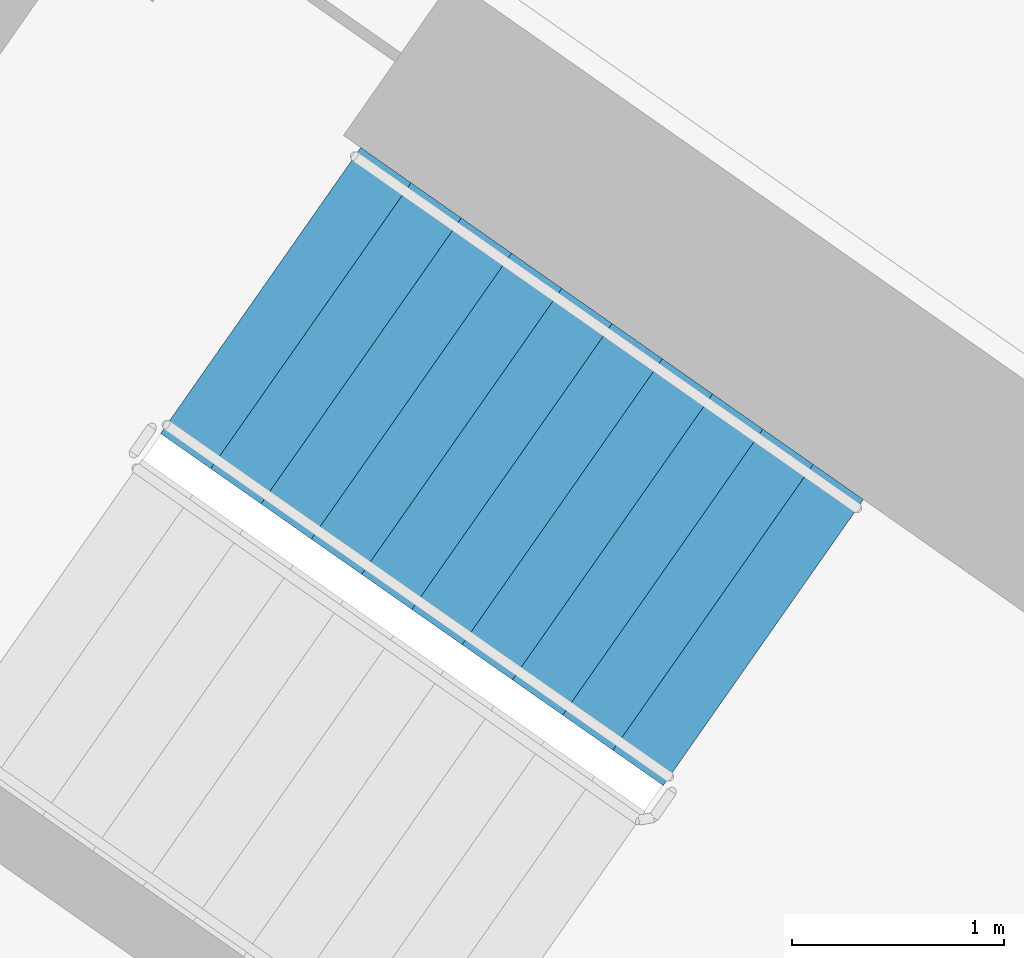
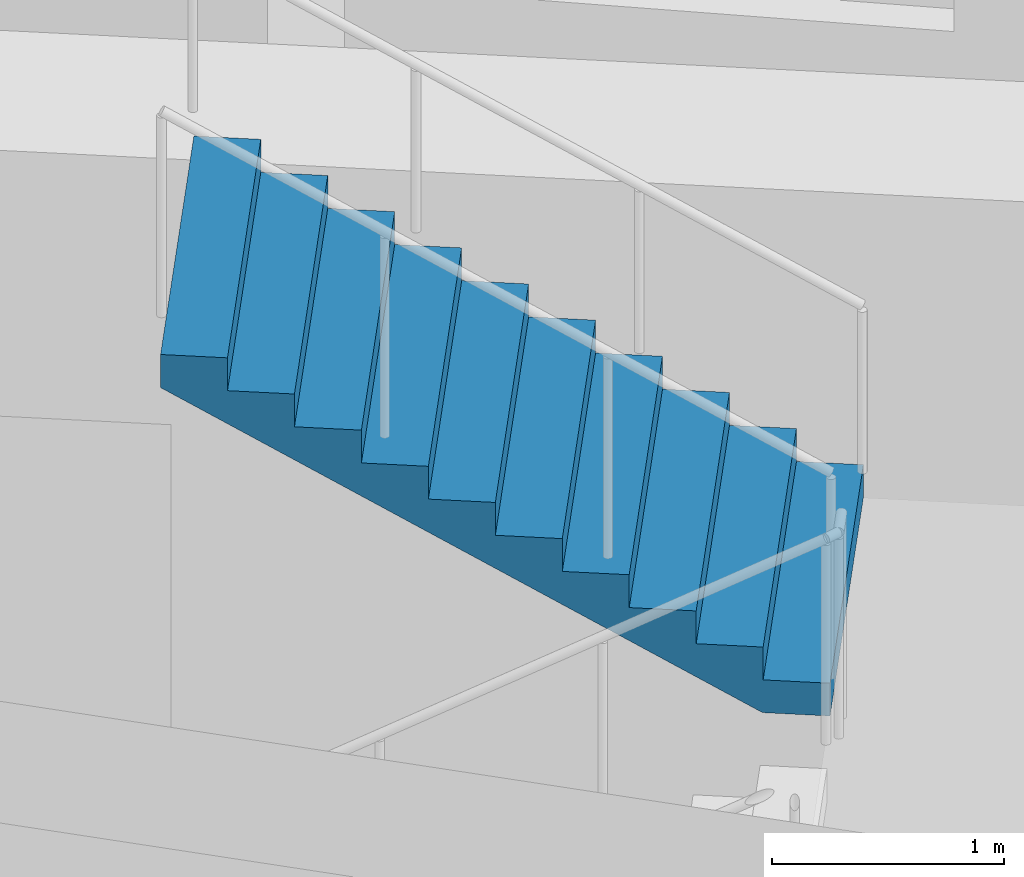
# One storey, part 14 of 31: 1 stair flight, 1 element without a shape of its own.
"""IFC4 building model written with IfcOpenShell, lengths in metres."""

import ifcopenshell
import ifcopenshell.guid

model = None  # the IFC model being written
_history = None  # IfcOwnerHistory: only IFC2X3 demands one
_inside = {}  # id of a spatial element -> (the spatial element, [elements in it])
_under = {}  # id of a project, library or spatial element -> (it, [spatial elements below it])
_declared = {}  # id of a project -> (the project, [libraries it declares])
_typed = {}  # id of a type object -> (the type object, [elements of that type])
_made_of = {}  # id of a material, layer set ... -> (it, [elements and type objects made of it])


def new_model(schema):
    """Start an empty IFC model of exactly this schema.

    Asked for "IFC4X3", IfcOpenShell would pick the latest addendum, in which some entities
    have other attributes; the version numbers below select the first issue.
    IFC2X3 requires an IfcOwnerHistory on every rooted entity: one is made here for all.
    """
    global model, _history
    if schema == "IFC4X3":
        model = ifcopenshell.file(schema_version=(4, 3, 0, 0))
    else:
        model = ifcopenshell.file(schema=schema)
    _inside.clear()
    _under.clear()
    _declared.clear()
    _typed.clear()
    _made_of.clear()
    _history = None
    if model.schema == "IFC2X3":
        org = make("IfcOrganization", Name="unknown")
        user = make(
            "IfcPersonAndOrganization",
            ThePerson=make("IfcPerson", FamilyName="unknown"),
            TheOrganization=org,
        )
        app = make(
            "IfcApplication",
            ApplicationDeveloper=org,
            Version="unknown",
            ApplicationFullName="unknown",
            ApplicationIdentifier="unknown",
        )
        _history = make(
            "IfcOwnerHistory",
            OwningUser=user,
            OwningApplication=app,
            ChangeAction="ADDED",
            CreationDate=0,
        )
    return model


def make(cls, **values):
    """One entity of the class cls with the attributes given. An attribute that is None is left unset."""
    return model.create_entity(
        cls, **{name: value for name, value in values.items() if value is not None}
    )


def rooted(cls, **values):
    """An entity with a GlobalId (a new one), such as an element, a storey or a relation."""
    return make(cls, GlobalId=ifcopenshell.guid.new(), OwnerHistory=_history, **values)


def si_unit(unit_type, name, prefix=None):
    """IfcSIUnit, for example si_unit("LENGTHUNIT", "METRE", prefix="MILLI")."""
    return make("IfcSIUnit", UnitType=unit_type, Prefix=prefix, Name=name)


def assignment(units):
    """IfcUnitAssignment: the units of a project."""
    return None if units is None else make("IfcUnitAssignment", Units=units)


def point(xyz):
    """IfcCartesianPoint."""
    return None if xyz is None else make("IfcCartesianPoint", Coordinates=xyz)


def direction(xyz):
    """IfcDirection."""
    return None if xyz is None else make("IfcDirection", DirectionRatios=xyz)


def frame(location, z_axis=None, x_axis=None):
    """IfcAxis2Placement3D, a coordinate frame: its origin and axes. An axis left out is left unset."""
    return make(
        "IfcAxis2Placement3D",
        Location=point(location),
        Axis=direction(z_axis),
        RefDirection=direction(x_axis),
    )


def origin():
    """The frame at (0, 0, 0) with its axes left unset."""
    return frame((0.0, 0.0, 0.0))


def place(relative_to, where):
    """IfcLocalPlacement: puts the frame where relative to a parent placement (None: the world)."""
    return make(
        "IfcLocalPlacement", PlacementRelTo=relative_to, RelativePlacement=where
    )


def context(
    kind, dimensions, precision=None, world=None, true_north=None, identifier=None
):
    """IfcGeometricRepresentationContext, for example the 3D "Model" context."""
    return make(
        "IfcGeometricRepresentationContext",
        ContextIdentifier=identifier,
        ContextType=kind,
        CoordinateSpaceDimension=dimensions,
        Precision=precision,
        WorldCoordinateSystem=world,
        TrueNorth=true_north,
    )


def subcontext(parent, identifier, kind, view, scale=None):
    """IfcGeometricRepresentationSubContext, for example "Body" below "Model"."""
    return make(
        "IfcGeometricRepresentationSubContext",
        ContextIdentifier=identifier,
        ContextType=kind,
        ParentContext=parent,
        TargetScale=scale,
        TargetView=view,
    )


def project(units=None, contexts=None):
    """IfcProject with its units and contexts."""
    return rooted(
        "IfcProject",
        Name="project",
        RepresentationContexts=contexts,
        UnitsInContext=assignment(units),
    )


def spatial(cls, under=None, at=None, **own):
    """A site, building, storey or space (cls), placed at a placement, below another one or the project."""
    s = rooted(cls, ObjectPlacement=at, **own)
    if under is not None:
        _under.setdefault(under.id(), (under, []))[1].append(s)
    return s


def faces_of(points, faces, orient=None, outer=None):
    """IfcFace entities. A face is a list of loops; a loop is a list of indices into points, from 0.

    orient and outer hold one flag for each loop. By default every Orientation is true, the
    first loop of a face is its IfcFaceOuterBound and the others are IfcFaceBound.
    """
    made = []
    for i, loops in enumerate(faces):
        bounds = []
        for j, loop in enumerate(loops):
            is_outer = j == 0 if outer is None else outer[i][j]
            bounds.append(
                make(
                    "IfcFaceOuterBound" if is_outer else "IfcFaceBound",
                    Bound=make("IfcPolyLoop", Polygon=[points[k] for k in loop]),
                    Orientation=True if orient is None else orient[i][j],
                )
            )
        made.append(make("IfcFace", Bounds=bounds))
    return made


def faceted_brep(points, faces, orient=None, outer=None, voids=None):
    """IfcFacetedBrep: a solid bounded by flat faces; with voids (closed shells), ...WithVoids."""
    shared = [point(p) for p in points]
    hull = make("IfcClosedShell", CfsFaces=faces_of(shared, faces, orient, outer))
    if voids is None:
        return make("IfcFacetedBrep", Outer=hull)
    return make(
        "IfcFacetedBrepWithVoids",
        Outer=hull,
        Voids=[
            make(cls, CfsFaces=faces_of(shared, fs, o, b)) for cls, fs, o, b in voids
        ],
    )


def shape(context_of_items, identifier, shape_type, items):
    """IfcShapeRepresentation: the items that make up one representation, for example the "Body"."""
    return make(
        "IfcShapeRepresentation",
        ContextOfItems=context_of_items,
        RepresentationIdentifier=identifier,
        RepresentationType=shape_type,
        Items=items,
    )


def material(Name=None, Category=None):
    """IfcMaterial."""
    return make("IfcMaterial", Name=Name, Category=Category)


def made_of(thing, what):
    """Note that an element or type object is made of a material, layer set ...; save() writes the relation."""
    if what is not None:
        _made_of.setdefault(what.id(), (what, []))[1].append(thing)
    return thing


def type_object(cls, material=None, **own):
    """A type object (cls), such as IfcWallType, which elements share."""
    return made_of(rooted(cls, **own), material)


def element(
    cls,
    number,
    at=None,
    inside=None,
    cuts=None,
    type_object=None,
    material=None,
    context=None,
    identifier="Body",
    shape_type=None,
    held_by="IfcProductDefinitionShape",
    body=None,
    shapes=None,
    **own,
):
    """One element of the class cls, such as IfcWall. Its Tag is "e" and its number.

    at: its placement. inside: the storey or other place that contains it. cuts: it is an
    opening in that element (IfcRelVoidsElement). A single representation is given by context,
    identifier, shape_type and body (its items); several are given by shapes. held_by: the class
    of the entity that holds the representations. save() writes the other relations.
    """
    e = rooted(cls, Tag="e%d" % number, ObjectPlacement=at, **own)
    if body is not None:
        shapes = [shape(context, identifier, shape_type, body)]
    if shapes is not None:
        e.Representation = make(held_by, Representations=shapes)
    if inside is not None:
        _inside.setdefault(inside.id(), (inside, []))[1].append(e)
    if cuts is not None:
        rooted(
            "IfcRelVoidsElement", RelatingBuildingElement=cuts, RelatedOpeningElement=e
        )
    if type_object is not None:
        _typed.setdefault(type_object.id(), (type_object, []))[1].append(e)
    return made_of(e, material)


def aggregate(whole, parts):
    """IfcRelAggregates: a whole, such as a stair, and the parts it consists of."""
    return rooted("IfcRelAggregates", RelatingObject=whole, RelatedObjects=parts)


def save(model, path):
    """Write the relations noted so far, then the file.

    IfcRelAggregates (storeys below a building ...), IfcRelContainedInSpatialStructure (elements
    in a storey), IfcRelDefinesByType, IfcRelAssociatesMaterial and IfcRelDeclares: one each for
    every whole, place, type object, material and project.
    """
    for whole, parts in _under.values():
        aggregate(whole, parts)
    for where, things in _inside.values():
        rooted(
            "IfcRelContainedInSpatialStructure",
            RelatedElements=things,
            RelatingStructure=where,
        )
    for kind, things in _typed.values():
        rooted("IfcRelDefinesByType", RelatedObjects=things, RelatingType=kind)
    for what, things in _made_of.values():
        rooted("IfcRelAssociatesMaterial", RelatedObjects=things, RelatingMaterial=what)
    for by, libraries in _declared.values():
        rooted("IfcRelDeclares", RelatingContext=by, RelatedDefinitions=libraries)
    model.write(path)


model = new_model("IFC4")

# Units and contexts
model_context = context("Model", 3, precision=1e-05, world=origin(), true_north=direction((0.0, 1.0)))
body_context = subcontext(model_context, "Body", "Model", "MODEL_VIEW")
ifc_project = project(units=[si_unit("LENGTHUNIT", "METRE"), si_unit("AREAUNIT", "SQUARE_METRE"), si_unit("VOLUMEUNIT", "CUBIC_METRE"), si_unit("PLANEANGLEUNIT", "RADIAN"), si_unit("MASSUNIT", "GRAM", prefix="KILO")], contexts=[model_context])

# Site, building, storey
site_placement = place(None, origin())
site = spatial("IfcSite", under=ifc_project, at=site_placement, CompositionType="ELEMENT")
building_placement = place(site_placement, origin())
building = spatial("IfcBuilding", under=site, at=building_placement, Name="Qamariyya Broadcast Tower", CompositionType="ELEMENT")
storey_placement = place(building_placement, frame((0.0, 0.0, 59.5)))
storey = spatial("IfcBuildingStorey", under=building, at=storey_placement, Name="L11", CompositionType="ELEMENT", Elevation=59.5)

# Stair, stair flight
ifc_material = material(Name="Concrete C50/60", Category="concrete")
stair_type = type_object("IfcStairType", Name="Exit stair 22 risers of 173 mm", PredefinedType="HALF_TURN_STAIR", material=ifc_material)
stair_placement = place(storey_placement, origin())
stair = element("IfcStair", 1, at=stair_placement, inside=storey, type_object=stair_type, Name="L11 Stair W2", PredefinedType="HALF_TURN_STAIR")
stair_flight_type = type_object("IfcStairFlightType", Name="Exit stair flight 11 risers of 173 mm", PredefinedType="STRAIGHT", material=ifc_material)
stair_flight_placement = place(storey_placement, frame((-38.18310546875, -49.3486328125, 1.89990234375), z_axis=(0.0, 0.0, 1.0), x_axis=(-0.819152044289, 0.573576436351, 0.0)))
stair_flight = element("IfcStairFlight", 2, at=stair_flight_placement, type_object=stair_flight_type, Name="ST-W2 flight 2", NumberOfRisers=11, NumberOfTreads=10, PredefinedType="STRAIGHT", RiserHeight=0.172727273, TreadLength=0.29, context=body_context, shape_type="Brep", body=[
    faceted_brep([(0.0, 0.824951171875, 0.0), (0.0, 0.824951171875, 0.172607421875), (0.2900390625, 0.824951171875, 0.172607421875), (0.2900390625, 0.824951171875, 0.345458984375), (0.580078125, 0.824951171875, 0.345458984375), (0.580078125, 0.824951171875, 0.51806640625), (0.8701171875, 0.824951171875, 0.51806640625), (0.8701171875, 0.824951171875, 0.69091796875), (1.159912109375, 0.824951171875, 0.69091796875), (1.159912109375, 0.824951171875, 0.863525390625), (1.449951171875, 0.824951171875, 0.863525390625), (1.449951171875, 0.824951171875, 1.036376953125), (1.739990234375, 0.824951171875, 1.036376953125), (1.739990234375, 0.824951171875, 1.208984375), (2.030029296875, 0.824951171875, 1.208984375), (2.030029296875, 0.824951171875, 1.3818359375), (2.320068359375, 0.824951171875, 1.3818359375), (2.320068359375, 0.824951171875, 1.554443359375), (2.610107421875, 0.824951171875, 1.554443359375), (2.610107421875, 0.824951171875, 1.727294921875), (2.89990234375, 0.824951171875, 1.727294921875), (2.89990234375, 0.824951171875, 1.552734375), (0.29296875, 0.824951171875, 0.0), (0.29296875, -0.824951171875, 0.0), (2.89990234375, -0.824951171875, 1.552734375), (2.89990234375, -0.824951171875, 1.727294921875), (2.610107421875, -0.824951171875, 1.727294921875), (2.610107421875, -0.824951171875, 1.554443359375), (2.320068359375, -0.824951171875, 1.554443359375), (2.320068359375, -0.824951171875, 1.3818359375), (2.030029296875, -0.824951171875, 1.3818359375), (2.030029296875, -0.824951171875, 1.208984375), (1.739990234375, -0.824951171875, 1.208984375), (1.739990234375, -0.824951171875, 1.036376953125), (1.449951171875, -0.824951171875, 1.036376953125), (1.449951171875, -0.824951171875, 0.863525390625), (1.159912109375, -0.824951171875, 0.863525390625), (1.159912109375, -0.824951171875, 0.69091796875), (0.8701171875, -0.824951171875, 0.69091796875), (0.8701171875, -0.824951171875, 0.51806640625), (0.580078125, -0.824951171875, 0.51806640625), (0.580078125, -0.824951171875, 0.345458984375), (0.2900390625, -0.824951171875, 0.345458984375), (0.2900390625, -0.824951171875, 0.172607421875), (0.0, -0.824951171875, 0.172607421875), (0.0, -0.824951171875, 0.0), (0.0, 0.10009765625, 0.0), (0.0, 0.086669921875, 0.0), (0.0, 0.0732421875, 0.0), (0.0, 0.06005859375, 0.0), (0.0, 0.046630859375, 0.0), (0.0, 0.033447265625, 0.0), (0.0, 0.02001953125, 0.0), (0.0, 0.006591796875, 0.0), (0.0, -0.006591796875, 0.0), (0.0, -0.02001953125, 0.0), (0.0, -0.033447265625, 0.0), (0.0, -0.046630859375, 0.0), (0.0, -0.06005859375, 0.0), (0.0, -0.0732421875, 0.0), (0.0, -0.086669921875, 0.0), (0.0, -0.10009765625, 0.0), (0.0, -0.10009765625, 0.172607421875), (0.0, -0.086669921875, 0.172607421875), (0.0, -0.0732421875, 0.172607421875), (0.0, -0.06005859375, 0.172607421875), (0.0, -0.046630859375, 0.172607421875), (0.0, -0.033447265625, 0.172607421875), (0.0, -0.02001953125, 0.172607421875), (0.0, -0.006591796875, 0.172607421875), (0.0, 0.006591796875, 0.172607421875), (0.0, 0.02001953125, 0.172607421875), (0.0, 0.033447265625, 0.172607421875), (0.0, 0.046630859375, 0.172607421875), (0.0, 0.06005859375, 0.172607421875), (0.0, 0.0732421875, 0.172607421875), (0.0, 0.086669921875, 0.172607421875), (0.0, 0.10009765625, 0.172607421875), (0.2900390625, -0.10009765625, 0.172607421875), (0.2900390625, -0.086669921875, 0.172607421875), (0.2900390625, -0.0732421875, 0.172607421875), (0.2900390625, -0.06005859375, 0.172607421875), (0.2900390625, -0.046630859375, 0.172607421875), (0.2900390625, -0.033447265625, 0.172607421875), (0.2900390625, -0.02001953125, 0.172607421875), (0.2900390625, -0.006591796875, 0.172607421875), (0.2900390625, 0.006591796875, 0.172607421875), (0.2900390625, 0.02001953125, 0.172607421875), (0.2900390625, 0.033447265625, 0.172607421875), (0.2900390625, 0.046630859375, 0.172607421875), (0.2900390625, 0.06005859375, 0.172607421875), (0.2900390625, 0.0732421875, 0.172607421875), (0.2900390625, 0.086669921875, 0.172607421875), (0.2900390625, 0.10009765625, 0.172607421875), (0.2900390625, -0.10009765625, 0.345458984375), (0.2900390625, -0.086669921875, 0.345458984375), (0.2900390625, -0.0732421875, 0.345458984375), (0.2900390625, -0.06005859375, 0.345458984375), (0.2900390625, -0.046630859375, 0.345458984375), (0.2900390625, -0.033447265625, 0.345458984375), (0.2900390625, -0.02001953125, 0.345458984375), (0.2900390625, -0.006591796875, 0.345458984375), (0.2900390625, 0.006591796875, 0.345458984375), (0.2900390625, 0.02001953125, 0.345458984375), (0.2900390625, 0.033447265625, 0.345458984375), (0.2900390625, 0.046630859375, 0.345458984375), (0.2900390625, 0.06005859375, 0.345458984375), (0.2900390625, 0.0732421875, 0.345458984375), (0.2900390625, 0.086669921875, 0.345458984375), (0.2900390625, 0.10009765625, 0.345458984375), (0.580078125, -0.10009765625, 0.345458984375), (0.580078125, -0.086669921875, 0.345458984375), (0.580078125, -0.0732421875, 0.345458984375), (0.580078125, -0.06005859375, 0.345458984375), (0.580078125, -0.046630859375, 0.345458984375), (0.580078125, -0.033447265625, 0.345458984375), (0.580078125, -0.02001953125, 0.345458984375), (0.580078125, -0.006591796875, 0.345458984375), (0.580078125, 0.006591796875, 0.345458984375), (0.580078125, 0.02001953125, 0.345458984375), (0.580078125, 0.033447265625, 0.345458984375), (0.580078125, 0.046630859375, 0.345458984375), (0.580078125, 0.06005859375, 0.345458984375), (0.580078125, 0.0732421875, 0.345458984375), (0.580078125, 0.086669921875, 0.345458984375), (0.580078125, 0.10009765625, 0.345458984375), (0.580078125, -0.10009765625, 0.51806640625), (0.580078125, -0.086669921875, 0.51806640625), (0.580078125, -0.0732421875, 0.51806640625), (0.580078125, -0.06005859375, 0.51806640625), (0.580078125, -0.046630859375, 0.51806640625), (0.580078125, -0.033447265625, 0.51806640625), (0.580078125, -0.02001953125, 0.51806640625), (0.580078125, -0.006591796875, 0.51806640625), (0.580078125, 0.006591796875, 0.51806640625), (0.580078125, 0.02001953125, 0.51806640625), (0.580078125, 0.033447265625, 0.51806640625), (0.580078125, 0.046630859375, 0.51806640625), (0.580078125, 0.06005859375, 0.51806640625), (0.580078125, 0.0732421875, 0.51806640625), (0.580078125, 0.086669921875, 0.51806640625), (0.580078125, 0.10009765625, 0.51806640625), (0.8701171875, -0.10009765625, 0.51806640625), (0.8701171875, -0.086669921875, 0.51806640625), (0.8701171875, -0.0732421875, 0.51806640625), (0.8701171875, -0.06005859375, 0.51806640625), (0.8701171875, -0.046630859375, 0.51806640625), (0.8701171875, -0.033447265625, 0.51806640625), (0.8701171875, -0.02001953125, 0.51806640625), (0.8701171875, -0.006591796875, 0.51806640625), (0.8701171875, 0.006591796875, 0.51806640625), (0.8701171875, 0.02001953125, 0.51806640625), (0.8701171875, 0.033447265625, 0.51806640625), (0.8701171875, 0.046630859375, 0.51806640625), (0.8701171875, 0.06005859375, 0.51806640625), (0.8701171875, 0.0732421875, 0.51806640625), (0.8701171875, 0.086669921875, 0.51806640625), (0.8701171875, 0.10009765625, 0.51806640625), (0.8701171875, -0.10009765625, 0.69091796875), (0.8701171875, -0.086669921875, 0.69091796875), (0.8701171875, -0.0732421875, 0.69091796875), (0.8701171875, -0.06005859375, 0.69091796875), (0.8701171875, -0.046630859375, 0.69091796875), (0.8701171875, -0.033447265625, 0.69091796875), (0.8701171875, -0.02001953125, 0.69091796875), (0.8701171875, -0.006591796875, 0.69091796875), (0.8701171875, 0.006591796875, 0.69091796875), (0.8701171875, 0.02001953125, 0.69091796875), (0.8701171875, 0.033447265625, 0.69091796875), (0.8701171875, 0.046630859375, 0.69091796875), (0.8701171875, 0.06005859375, 0.69091796875), (0.8701171875, 0.0732421875, 0.69091796875), (0.8701171875, 0.086669921875, 0.69091796875), (0.8701171875, 0.10009765625, 0.69091796875), (1.159912109375, -0.10009765625, 0.69091796875), (1.159912109375, -0.086669921875, 0.69091796875), (1.159912109375, -0.0732421875, 0.69091796875), (1.159912109375, -0.06005859375, 0.69091796875), (1.159912109375, -0.046630859375, 0.69091796875), (1.159912109375, -0.033447265625, 0.69091796875), (1.159912109375, -0.02001953125, 0.69091796875), (1.159912109375, -0.006591796875, 0.69091796875), (1.159912109375, 0.006591796875, 0.69091796875), (1.159912109375, 0.02001953125, 0.69091796875), (1.159912109375, 0.033447265625, 0.69091796875), (1.159912109375, 0.046630859375, 0.69091796875), (1.159912109375, 0.06005859375, 0.69091796875), (1.159912109375, 0.0732421875, 0.69091796875), (1.159912109375, 0.086669921875, 0.69091796875), (1.159912109375, 0.10009765625, 0.69091796875), (1.159912109375, -0.10009765625, 0.863525390625), (1.159912109375, -0.086669921875, 0.863525390625), (1.159912109375, -0.0732421875, 0.863525390625), (1.159912109375, -0.06005859375, 0.863525390625), (1.159912109375, -0.046630859375, 0.863525390625), (1.159912109375, -0.033447265625, 0.863525390625), (1.159912109375, -0.02001953125, 0.863525390625), (1.159912109375, -0.006591796875, 0.863525390625), (1.159912109375, 0.006591796875, 0.863525390625), (1.159912109375, 0.02001953125, 0.863525390625), (1.159912109375, 0.033447265625, 0.863525390625), (1.159912109375, 0.046630859375, 0.863525390625), (1.159912109375, 0.06005859375, 0.863525390625), (1.159912109375, 0.0732421875, 0.863525390625), (1.159912109375, 0.086669921875, 0.863525390625), (1.159912109375, 0.10009765625, 0.863525390625), (1.449951171875, -0.10009765625, 0.863525390625), (1.449951171875, -0.086669921875, 0.863525390625), (1.449951171875, -0.0732421875, 0.863525390625), (1.449951171875, -0.06005859375, 0.863525390625), (1.449951171875, -0.046630859375, 0.863525390625), (1.449951171875, -0.033447265625, 0.863525390625), (1.449951171875, -0.02001953125, 0.863525390625), (1.449951171875, -0.006591796875, 0.863525390625), (1.449951171875, 0.006591796875, 0.863525390625), (1.449951171875, 0.02001953125, 0.863525390625), (1.449951171875, 0.033447265625, 0.863525390625), (1.449951171875, 0.046630859375, 0.863525390625), (1.449951171875, 0.06005859375, 0.863525390625), (1.449951171875, 0.0732421875, 0.863525390625), (1.449951171875, 0.086669921875, 0.863525390625), (1.449951171875, 0.10009765625, 0.863525390625), (1.449951171875, -0.10009765625, 1.036376953125), (1.449951171875, -0.086669921875, 1.036376953125), (1.449951171875, -0.0732421875, 1.036376953125), (1.449951171875, -0.06005859375, 1.036376953125), (1.449951171875, -0.046630859375, 1.036376953125), (1.449951171875, -0.033447265625, 1.036376953125), (1.449951171875, -0.02001953125, 1.036376953125), (1.449951171875, -0.006591796875, 1.036376953125), (1.449951171875, 0.006591796875, 1.036376953125), (1.449951171875, 0.02001953125, 1.036376953125), (1.449951171875, 0.033447265625, 1.036376953125), (1.449951171875, 0.046630859375, 1.036376953125), (1.449951171875, 0.06005859375, 1.036376953125), (1.449951171875, 0.0732421875, 1.036376953125), (1.449951171875, 0.086669921875, 1.036376953125), (1.449951171875, 0.10009765625, 1.036376953125), (1.739990234375, -0.10009765625, 1.036376953125), (1.739990234375, -0.086669921875, 1.036376953125), (1.739990234375, -0.0732421875, 1.036376953125), (1.739990234375, -0.06005859375, 1.036376953125), (1.739990234375, -0.046630859375, 1.036376953125), (1.739990234375, -0.033447265625, 1.036376953125), (1.739990234375, -0.02001953125, 1.036376953125), (1.739990234375, -0.006591796875, 1.036376953125), (1.739990234375, 0.006591796875, 1.036376953125), (1.739990234375, 0.02001953125, 1.036376953125), (1.739990234375, 0.033447265625, 1.036376953125), (1.739990234375, 0.046630859375, 1.036376953125), (1.739990234375, 0.06005859375, 1.036376953125), (1.739990234375, 0.0732421875, 1.036376953125), (1.739990234375, 0.086669921875, 1.036376953125), (1.739990234375, 0.10009765625, 1.036376953125), (1.739990234375, -0.10009765625, 1.208984375), (1.739990234375, -0.086669921875, 1.208984375), (1.739990234375, -0.0732421875, 1.208984375), (1.739990234375, -0.06005859375, 1.208984375), (1.739990234375, -0.046630859375, 1.208984375), (1.739990234375, -0.033447265625, 1.208984375), (1.739990234375, -0.02001953125, 1.208984375), (1.739990234375, -0.006591796875, 1.208984375), (1.739990234375, 0.006591796875, 1.208984375), (1.739990234375, 0.02001953125, 1.208984375), (1.739990234375, 0.033447265625, 1.208984375), (1.739990234375, 0.046630859375, 1.208984375), (1.739990234375, 0.06005859375, 1.208984375), (1.739990234375, 0.0732421875, 1.208984375), (1.739990234375, 0.086669921875, 1.208984375), (1.739990234375, 0.10009765625, 1.208984375), (2.030029296875, -0.10009765625, 1.208984375), (2.030029296875, -0.086669921875, 1.208984375), (2.030029296875, -0.0732421875, 1.208984375), (2.030029296875, -0.06005859375, 1.208984375), (2.030029296875, -0.046630859375, 1.208984375), (2.030029296875, -0.033447265625, 1.208984375), (2.030029296875, -0.02001953125, 1.208984375), (2.030029296875, -0.006591796875, 1.208984375), (2.030029296875, 0.006591796875, 1.208984375), (2.030029296875, 0.02001953125, 1.208984375), (2.030029296875, 0.033447265625, 1.208984375), (2.030029296875, 0.046630859375, 1.208984375), (2.030029296875, 0.06005859375, 1.208984375), (2.030029296875, 0.0732421875, 1.208984375), (2.030029296875, 0.086669921875, 1.208984375), (2.030029296875, 0.10009765625, 1.208984375), (2.030029296875, -0.10009765625, 1.3818359375), (2.030029296875, -0.086669921875, 1.3818359375), (2.030029296875, -0.0732421875, 1.3818359375), (2.030029296875, -0.06005859375, 1.3818359375), (2.030029296875, -0.046630859375, 1.3818359375), (2.030029296875, -0.033447265625, 1.3818359375), (2.030029296875, -0.02001953125, 1.3818359375), (2.030029296875, -0.006591796875, 1.3818359375), (2.030029296875, 0.006591796875, 1.3818359375), (2.030029296875, 0.02001953125, 1.3818359375), (2.030029296875, 0.033447265625, 1.3818359375), (2.030029296875, 0.046630859375, 1.3818359375), (2.030029296875, 0.06005859375, 1.3818359375), (2.030029296875, 0.0732421875, 1.3818359375), (2.030029296875, 0.086669921875, 1.3818359375), (2.030029296875, 0.10009765625, 1.3818359375), (2.320068359375, -0.10009765625, 1.3818359375), (2.320068359375, -0.086669921875, 1.3818359375), (2.320068359375, -0.0732421875, 1.3818359375), (2.320068359375, -0.06005859375, 1.3818359375), (2.320068359375, -0.046630859375, 1.3818359375), (2.320068359375, -0.033447265625, 1.3818359375), (2.320068359375, -0.02001953125, 1.3818359375), (2.320068359375, -0.006591796875, 1.3818359375), (2.320068359375, 0.006591796875, 1.3818359375), (2.320068359375, 0.02001953125, 1.3818359375), (2.320068359375, 0.033447265625, 1.3818359375), (2.320068359375, 0.046630859375, 1.3818359375), (2.320068359375, 0.06005859375, 1.3818359375), (2.320068359375, 0.0732421875, 1.3818359375), (2.320068359375, 0.086669921875, 1.3818359375), (2.320068359375, 0.10009765625, 1.3818359375), (2.320068359375, -0.10009765625, 1.554443359375), (2.320068359375, -0.086669921875, 1.554443359375), (2.320068359375, -0.0732421875, 1.554443359375), (2.320068359375, -0.06005859375, 1.554443359375), (2.320068359375, -0.046630859375, 1.554443359375), (2.320068359375, -0.033447265625, 1.554443359375), (2.320068359375, -0.02001953125, 1.554443359375), (2.320068359375, -0.006591796875, 1.554443359375), (2.320068359375, 0.006591796875, 1.554443359375), (2.320068359375, 0.02001953125, 1.554443359375), (2.320068359375, 0.033447265625, 1.554443359375), (2.320068359375, 0.046630859375, 1.554443359375), (2.320068359375, 0.06005859375, 1.554443359375), (2.320068359375, 0.0732421875, 1.554443359375), (2.320068359375, 0.086669921875, 1.554443359375), (2.320068359375, 0.10009765625, 1.554443359375), (2.610107421875, -0.10009765625, 1.554443359375), (2.610107421875, -0.086669921875, 1.554443359375), (2.610107421875, -0.0732421875, 1.554443359375), (2.610107421875, -0.06005859375, 1.554443359375), (2.610107421875, -0.046630859375, 1.554443359375), (2.610107421875, -0.033447265625, 1.554443359375), (2.610107421875, -0.02001953125, 1.554443359375), (2.610107421875, -0.006591796875, 1.554443359375), (2.610107421875, 0.006591796875, 1.554443359375), (2.610107421875, 0.02001953125, 1.554443359375), (2.610107421875, 0.033447265625, 1.554443359375), (2.610107421875, 0.046630859375, 1.554443359375), (2.610107421875, 0.06005859375, 1.554443359375), (2.610107421875, 0.0732421875, 1.554443359375), (2.610107421875, 0.086669921875, 1.554443359375), (2.610107421875, 0.10009765625, 1.554443359375), (2.610107421875, -0.10009765625, 1.727294921875), (2.610107421875, -0.086669921875, 1.727294921875), (2.610107421875, -0.0732421875, 1.727294921875), (2.610107421875, -0.06005859375, 1.727294921875), (2.610107421875, -0.046630859375, 1.727294921875), (2.610107421875, -0.033447265625, 1.727294921875), (2.610107421875, -0.02001953125, 1.727294921875), (2.610107421875, -0.006591796875, 1.727294921875), (2.610107421875, 0.006591796875, 1.727294921875), (2.610107421875, 0.02001953125, 1.727294921875), (2.610107421875, 0.033447265625, 1.727294921875), (2.610107421875, 0.046630859375, 1.727294921875), (2.610107421875, 0.06005859375, 1.727294921875), (2.610107421875, 0.0732421875, 1.727294921875), (2.610107421875, 0.086669921875, 1.727294921875), (2.610107421875, 0.10009765625, 1.727294921875), (2.89990234375, -0.10009765625, 1.727294921875), (2.89990234375, -0.086669921875, 1.727294921875), (2.89990234375, -0.0732421875, 1.727294921875), (2.89990234375, -0.06005859375, 1.727294921875), (2.89990234375, -0.046630859375, 1.727294921875), (2.89990234375, -0.033447265625, 1.727294921875), (2.89990234375, -0.02001953125, 1.727294921875), (2.89990234375, -0.006591796875, 1.727294921875), (2.89990234375, 0.006591796875, 1.727294921875), (2.89990234375, 0.02001953125, 1.727294921875), (2.89990234375, 0.033447265625, 1.727294921875), (2.89990234375, 0.046630859375, 1.727294921875), (2.89990234375, 0.06005859375, 1.727294921875), (2.89990234375, 0.0732421875, 1.727294921875), (2.89990234375, 0.086669921875, 1.727294921875), (2.89990234375, 0.10009765625, 1.727294921875), (2.89990234375, -0.10009765625, 1.552734375), (2.89990234375, -0.086669921875, 1.552734375), (2.89990234375, -0.0732421875, 1.552734375), (2.89990234375, -0.06005859375, 1.552734375), (2.89990234375, -0.046630859375, 1.552734375), (2.89990234375, -0.033447265625, 1.552734375), (2.89990234375, -0.02001953125, 1.552734375), (2.89990234375, -0.006591796875, 1.552734375), (2.89990234375, 0.006591796875, 1.552734375), (2.89990234375, 0.02001953125, 1.552734375), (2.89990234375, 0.033447265625, 1.552734375), (2.89990234375, 0.046630859375, 1.552734375), (2.89990234375, 0.06005859375, 1.552734375), (2.89990234375, 0.0732421875, 1.552734375), (2.89990234375, 0.086669921875, 1.552734375), (2.89990234375, 0.10009765625, 1.552734375), (0.29296875, -0.10009765625, 0.0), (0.29296875, -0.086669921875, 0.0), (0.29296875, -0.0732421875, 0.0), (0.29296875, -0.06005859375, 0.0), (0.29296875, -0.046630859375, 0.0), (0.29296875, -0.033447265625, 0.0), (0.29296875, -0.02001953125, 0.0), (0.29296875, -0.006591796875, 0.0), (0.29296875, 0.006591796875, 0.0), (0.29296875, 0.02001953125, 0.0), (0.29296875, 0.033447265625, 0.0), (0.29296875, 0.046630859375, 0.0), (0.29296875, 0.06005859375, 0.0), (0.29296875, 0.0732421875, 0.0), (0.29296875, 0.086669921875, 0.0), (0.29296875, 0.10009765625, 0.0)], [[[0, 1, 2, 3, 4, 5, 6, 7, 8, 9, 10, 11, 12, 13, 14, 15, 16, 17, 18, 19, 20, 21, 22]], [[23, 24, 25, 26, 27, 28, 29, 30, 31, 32, 33, 34, 35, 36, 37, 38, 39, 40, 41, 42, 43, 44, 45]], [[0, 46, 47, 48, 49, 50, 51, 52, 53, 54, 55, 56, 57, 58, 59, 60, 61, 45, 44, 62, 63, 64, 65, 66, 67, 68, 69, 70, 71, 72, 73, 74, 75, 76, 77, 1]], [[1, 77, 76, 75, 74, 73, 72, 71, 70, 69, 68, 67, 66, 65, 64, 63, 62, 44, 43, 78, 79, 80, 81, 82, 83, 84, 85, 86, 87, 88, 89, 90, 91, 92, 93, 2]], [[2, 93, 92, 91, 90, 89, 88, 87, 86, 85, 84, 83, 82, 81, 80, 79, 78, 43, 42, 94, 95, 96, 97, 98, 99, 100, 101, 102, 103, 104, 105, 106, 107, 108, 109, 3]], [[3, 109, 108, 107, 106, 105, 104, 103, 102, 101, 100, 99, 98, 97, 96, 95, 94, 42, 41, 110, 111, 112, 113, 114, 115, 116, 117, 118, 119, 120, 121, 122, 123, 124, 125, 4]], [[4, 125, 124, 123, 122, 121, 120, 119, 118, 117, 116, 115, 114, 113, 112, 111, 110, 41, 40, 126, 127, 128, 129, 130, 131, 132, 133, 134, 135, 136, 137, 138, 139, 140, 141, 5]], [[5, 141, 140, 139, 138, 137, 136, 135, 134, 133, 132, 131, 130, 129, 128, 127, 126, 40, 39, 142, 143, 144, 145, 146, 147, 148, 149, 150, 151, 152, 153, 154, 155, 156, 157, 6]], [[6, 157, 156, 155, 154, 153, 152, 151, 150, 149, 148, 147, 146, 145, 144, 143, 142, 39, 38, 158, 159, 160, 161, 162, 163, 164, 165, 166, 167, 168, 169, 170, 171, 172, 173, 7]], [[7, 173, 172, 171, 170, 169, 168, 167, 166, 165, 164, 163, 162, 161, 160, 159, 158, 38, 37, 174, 175, 176, 177, 178, 179, 180, 181, 182, 183, 184, 185, 186, 187, 188, 189, 8]], [[8, 189, 188, 187, 186, 185, 184, 183, 182, 181, 180, 179, 178, 177, 176, 175, 174, 37, 36, 190, 191, 192, 193, 194, 195, 196, 197, 198, 199, 200, 201, 202, 203, 204, 205, 9]], [[9, 205, 204, 203, 202, 201, 200, 199, 198, 197, 196, 195, 194, 193, 192, 191, 190, 36, 35, 206, 207, 208, 209, 210, 211, 212, 213, 214, 215, 216, 217, 218, 219, 220, 221, 10]], [[10, 221, 220, 219, 218, 217, 216, 215, 214, 213, 212, 211, 210, 209, 208, 207, 206, 35, 34, 222, 223, 224, 225, 226, 227, 228, 229, 230, 231, 232, 233, 234, 235, 236, 237, 11]], [[11, 237, 236, 235, 234, 233, 232, 231, 230, 229, 228, 227, 226, 225, 224, 223, 222, 34, 33, 238, 239, 240, 241, 242, 243, 244, 245, 246, 247, 248, 249, 250, 251, 252, 253, 12]], [[12, 253, 252, 251, 250, 249, 248, 247, 246, 245, 244, 243, 242, 241, 240, 239, 238, 33, 32, 254, 255, 256, 257, 258, 259, 260, 261, 262, 263, 264, 265, 266, 267, 268, 269, 13]], [[13, 269, 268, 267, 266, 265, 264, 263, 262, 261, 260, 259, 258, 257, 256, 255, 254, 32, 31, 270, 271, 272, 273, 274, 275, 276, 277, 278, 279, 280, 281, 282, 283, 284, 285, 14]], [[14, 285, 284, 283, 282, 281, 280, 279, 278, 277, 276, 275, 274, 273, 272, 271, 270, 31, 30, 286, 287, 288, 289, 290, 291, 292, 293, 294, 295, 296, 297, 298, 299, 300, 301, 15]], [[15, 301, 300, 299, 298, 297, 296, 295, 294, 293, 292, 291, 290, 289, 288, 287, 286, 30, 29, 302, 303, 304, 305, 306, 307, 308, 309, 310, 311, 312, 313, 314, 315, 316, 317, 16]], [[16, 317, 316, 315, 314, 313, 312, 311, 310, 309, 308, 307, 306, 305, 304, 303, 302, 29, 28, 318, 319, 320, 321, 322, 323, 324, 325, 326, 327, 328, 329, 330, 331, 332, 333, 17]], [[17, 333, 332, 331, 330, 329, 328, 327, 326, 325, 324, 323, 322, 321, 320, 319, 318, 28, 27, 334, 335, 336, 337, 338, 339, 340, 341, 342, 343, 344, 345, 346, 347, 348, 349, 18]], [[18, 349, 348, 347, 346, 345, 344, 343, 342, 341, 340, 339, 338, 337, 336, 335, 334, 27, 26, 350, 351, 352, 353, 354, 355, 356, 357, 358, 359, 360, 361, 362, 363, 364, 365, 19]], [[19, 365, 364, 363, 362, 361, 360, 359, 358, 357, 356, 355, 354, 353, 352, 351, 350, 26, 25, 366, 367, 368, 369, 370, 371, 372, 373, 374, 375, 376, 377, 378, 379, 380, 381, 20]], [[20, 381, 380, 379, 378, 377, 376, 375, 374, 373, 372, 371, 370, 369, 368, 367, 366, 25, 24, 382, 383, 384, 385, 386, 387, 388, 389, 390, 391, 392, 393, 394, 395, 396, 397, 21]], [[21, 397, 396, 395, 394, 393, 392, 391, 390, 389, 388, 387, 386, 385, 384, 383, 382, 24, 23, 398, 399, 400, 401, 402, 403, 404, 405, 406, 407, 408, 409, 410, 411, 412, 413, 22]], [[22, 413, 412, 411, 410, 409, 408, 407, 406, 405, 404, 403, 402, 401, 400, 399, 398, 23, 45, 61, 60, 59, 58, 57, 56, 55, 54, 53, 52, 51, 50, 49, 48, 47, 46, 0]]]),
])
aggregate(stair, [stair_flight])

save(model, "model.ifc")
